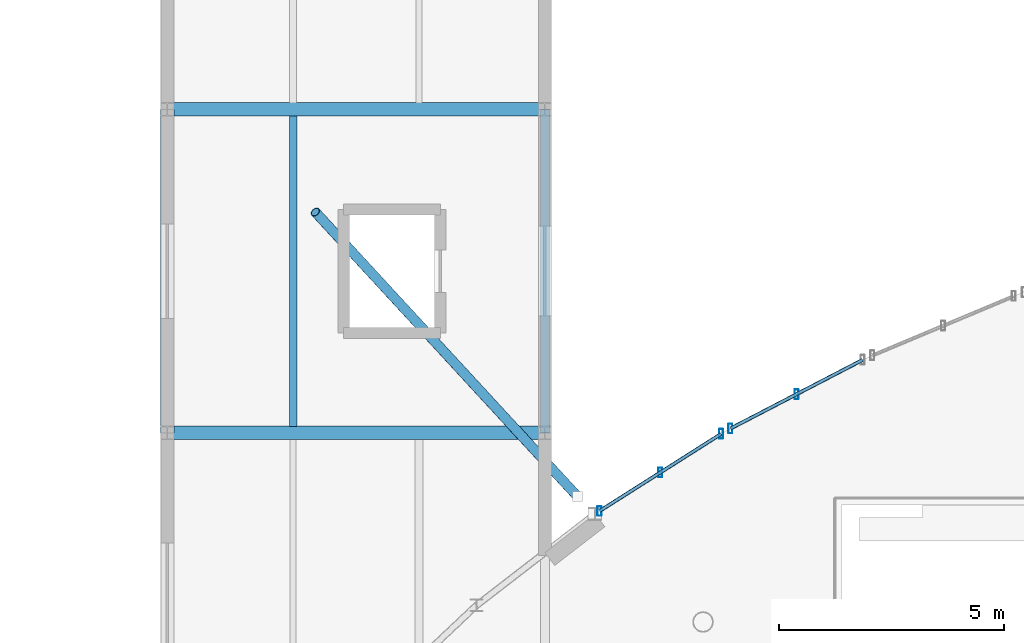
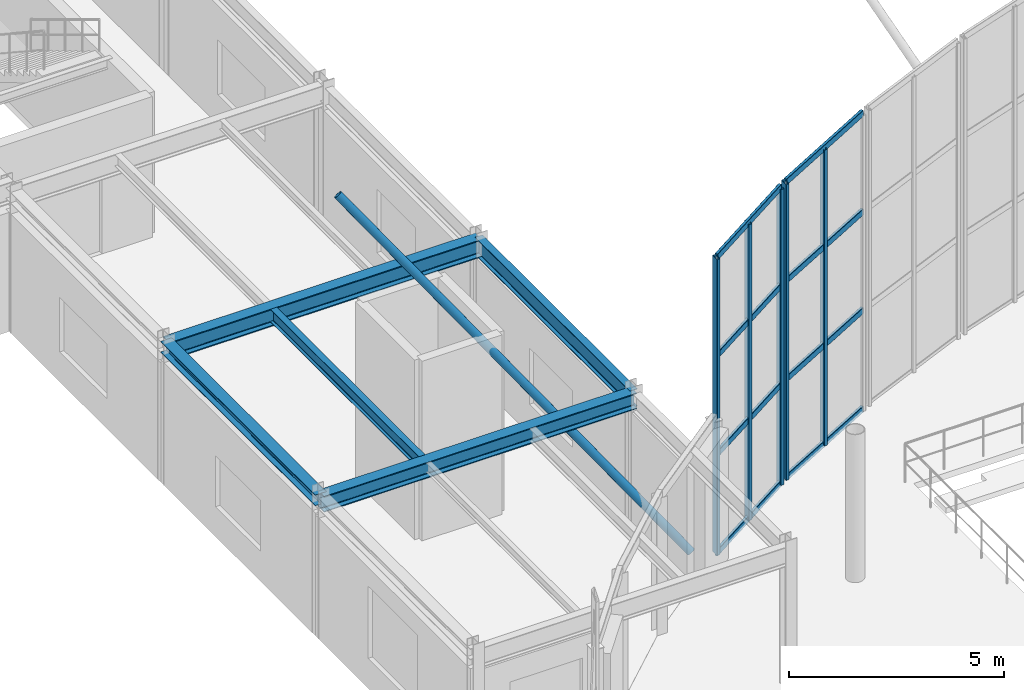
# One storey, part 34 of 109: 14 members, 5 beams, 2 elements without a shape of their own.
"""IFC4 building model written with IfcOpenShell, lengths in metres."""

from ifc_helpers import new_model, si_unit, derived_unit, direction, frame, origin, origin_2d, place, context, subcontext, project, spatial, hollow_rectangle, hollow_circle, i_section, extrude, material, material_profile, profile_set, type_object, element, aggregate, save


model = new_model("IFC4")

# Units and contexts
model_context = context("Model", 3, precision=1e-05, world=origin(), true_north=direction((0.0, 1.0)))
body_context = subcontext(model_context, "Body", "Model", "MODEL_VIEW")
ifc_project = project(units=[si_unit("LENGTHUNIT", "METRE"), si_unit("AREAUNIT", "SQUARE_METRE"), si_unit("VOLUMEUNIT", "CUBIC_METRE"), si_unit("PLANEANGLEUNIT", "RADIAN"), si_unit("MASSUNIT", "GRAM", prefix="KILO"), derived_unit("THERMALTRANSMITTANCEUNIT", [(si_unit("MASSUNIT", "GRAM", prefix="KILO"), 1), (si_unit("TIMEUNIT", "SECOND"), -3), (si_unit("THERMODYNAMICTEMPERATUREUNIT", "KELVIN"), -1)])], contexts=[model_context])

# Site, building, storey
site_placement = place(None, origin())
site = spatial("IfcSite", under=ifc_project, at=site_placement, CompositionType="ELEMENT")
building_placement = place(site_placement, origin())
building = spatial("IfcBuilding", under=site, at=building_placement, Name="Kharveza Railside Sports Centre", CompositionType="ELEMENT")
storey_placement = place(building_placement, frame((0.0, 0.0, 4.5)))
storey = spatial("IfcBuildingStorey", under=building, at=storey_placement, Name="L01", CompositionType="ELEMENT", Elevation=4.5)

# Beams
ifc_material_1 = material(Name="Steel S355J2", Category="steel")
ifc_material_profile_1 = material_profile(ifc_material_1, i_section(OverallWidth=0.199951171875, OverallDepth=0.5, WebThickness=0.01025390625, FlangeThickness=0.01611328125, FilletRadius=0.02099609375, at=origin_2d()), Name="IPE 500")
ifc_profile_set_1 = profile_set([ifc_material_profile_1], Name="Steel S355J2")
beam_type_1 = type_object("IfcBeamType", Name="BM-G03", PredefinedType="T_BEAM", material=ifc_profile_set_1)
beam_1_placement = place(storey_placement, frame((25.199951171875, 72.0, 3.75), z_axis=(0.0, 1.0, 0.0), x_axis=(-1.0, 0.0, 0.0)))
element("IfcBeam", 1, at=beam_1_placement, inside=storey, type_object=beam_type_1, Name="BM-NS-L01-B03-X252-Y720", PredefinedType="T_BEAM", context=body_context, shape_type="SweptSolid", body=[
    extrude(i_section(OverallWidth=0.199951171875, OverallDepth=0.5, WebThickness=0.01025390625, FlangeThickness=0.01611328125, FilletRadius=0.02099609375, at=origin_2d()), origin(), (0.0, 0.0, 1.0), 7.199951171875),
])
ifc_material_profile_2 = material_profile(ifc_material_1, i_section(OverallWidth=0.300048828125, OverallDepth=0.5, WebThickness=0.014404296875, FlangeThickness=0.028076171875, FilletRadius=0.027099609375, at=origin_2d()), Name="HEB 500")
ifc_profile_set_2 = profile_set([ifc_material_profile_2], Name="Steel S355J2")
beam_type_2 = type_object("IfcBeamType", Name="BM-G05", PredefinedType="T_BEAM", material=ifc_profile_set_2)
beam_2_placement = place(storey_placement, frame((16.800048828125, 79.199951171875, 3.75), z_axis=(1.0, 0.0, 0.0), x_axis=(0.0, 1.0, 0.0)))
element("IfcBeam", 2, at=beam_2_placement, inside=storey, type_object=beam_type_2, Name="BM-EW-L01-B05-X168-Y792", PredefinedType="T_BEAM", context=body_context, shape_type="SweptSolid", body=[
    extrude(i_section(OverallWidth=0.300048828125, OverallDepth=0.5, WebThickness=0.014404296875, FlangeThickness=0.028076171875, FilletRadius=0.027099609375, at=origin_2d()), origin(), (0.0, 0.0, 1.0), 8.39990234375),
])
ifc_material_profile_3 = material_profile(ifc_material_1, i_section(OverallWidth=0.300048828125, OverallDepth=0.449951171875, WebThickness=0.013916015625, FlangeThickness=0.02587890625, FilletRadius=0.027099609375, at=origin_2d()), Name="HEB 450")
ifc_profile_set_3 = profile_set([ifc_material_profile_3], Name="Steel S355J2")
beam_type_3 = type_object("IfcBeamType", Name="BM-G06", PredefinedType="T_BEAM", material=ifc_profile_set_3)
beam_3_placement = place(storey_placement, frame((16.800048828125, 72.0, 3.77490234375), z_axis=(1.0, 0.0, 0.0), x_axis=(0.0, 1.0, 0.0)))
element("IfcBeam", 3, at=beam_3_placement, inside=storey, type_object=beam_type_3, Name="BM-EW-L01-B06-X168-Y720", PredefinedType="T_BEAM", context=body_context, shape_type="SweptSolid", body=[
    extrude(i_section(OverallWidth=0.300048828125, OverallDepth=0.449951171875, WebThickness=0.013916015625, FlangeThickness=0.02587890625, FilletRadius=0.027099609375, at=origin_2d()), origin(), (0.0, 0.0, 1.0), 8.39990234375),
])
ifc_material_profile_4 = material_profile(ifc_material_1, i_section(OverallWidth=0.169921875, OverallDepth=0.360107421875, WebThickness=0.008056640625, FlangeThickness=0.0126953125, FilletRadius=0.01806640625, at=origin_2d()), Name="IPE 360")
ifc_profile_set_4 = profile_set([ifc_material_profile_4], Name="Steel S355J2")
beam_type_4 = type_object("IfcBeamType", Name="BM-S02", PredefinedType="BEAM", material=ifc_profile_set_4)
beam_4_placement = place(storey_placement, frame((19.60009765625, 72.14697265625, 3.820068359375), z_axis=(0.0, 1.0, 0.0), x_axis=(-1.0, 0.0, 0.0)))
element("IfcBeam", 4, at=beam_4_placement, inside=storey, type_object=beam_type_4, Name="BM-SEC-L01-B10-X196-Y720", PredefinedType="BEAM", context=body_context, shape_type="SweptSolid", body=[
    extrude(i_section(OverallWidth=0.169921875, OverallDepth=0.360107421875, WebThickness=0.008056640625, FlangeThickness=0.0126953125, FilletRadius=0.01806640625, at=origin_2d()), origin(), (0.0, 0.0, 1.0), 6.906005859375),
])
ifc_material_profile_5 = material_profile(ifc_material_1, i_section(OverallWidth=0.300048828125, OverallDepth=0.31005859375, WebThickness=0.009033203125, FlangeThickness=0.015380859375, FilletRadius=0.027099609375, at=origin_2d()), Name="HEA 320")
ifc_profile_set_5 = profile_set([ifc_material_profile_5], Name="Steel S355J2")
beam_type_5 = type_object("IfcBeamType", Name="BM-S06", PredefinedType="BEAM", material=ifc_profile_set_5)
beam_5_placement = place(storey_placement, frame((16.800048828125, 72.0, 3.844970703125), z_axis=(0.0, 1.0, 0.0), x_axis=(-1.0, 0.0, 0.0)))
element("IfcBeam", 5, at=beam_5_placement, inside=storey, type_object=beam_type_5, Name="BM-NS-L01-B14-X168-Y720", PredefinedType="BEAM", context=body_context, shape_type="SweptSolid", body=[
    extrude(i_section(OverallWidth=0.300048828125, OverallDepth=0.31005859375, WebThickness=0.009033203125, FlangeThickness=0.015380859375, FilletRadius=0.027099609375, at=origin_2d()), origin(), (0.0, 0.0, 1.0), 7.199951171875),
])

# Curtain wall, members
ifc_material_2 = material(Name="Low-E solar-control laminated glass", Category="glass")
curtain_wall_type = type_object("IfcCurtainWallType", Name="CW-DR01", PredefinedType="NOTDEFINED", material=ifc_material_2)
curtain_wall_1_placement = place(storey_placement, origin())
curtain_wall_1 = element("IfcCurtainWall", 6, at=curtain_wall_1_placement, inside=storey, type_object=curtain_wall_type, Name="CW-DRUM-23", PredefinedType="NOTDEFINED")
ifc_material_3 = material(Name="Anodised aluminium 6063-T6", Category="aluminium")
ifc_material_profile_6 = material_profile(ifc_material_3, hollow_rectangle(XDim=0.090087890625, YDim=0.219970703125, WallThickness=0.008056640625, InnerFilletRadius=0.008056640625, OuterFilletRadius=0.01611328125, at=origin_2d()), Name="RHS 90x220x8.0")
ifc_profile_set_6 = profile_set([ifc_material_profile_6], Name="Anodised aluminium 6063-T6")
member_type_1 = type_object("IfcMemberType", Name="CW-ML01", PredefinedType="MULLION", material=ifc_profile_set_6)
member_1_placement = place(storey_placement, frame((30.80078125, 72.86279296875, 0.0), z_axis=(0.0, 0.0, 1.0), x_axis=(1.0, 0.0, 0.0)))
member_1 = element("IfcMember", 7, at=member_1_placement, type_object=member_type_1, Name="CW-DRUM-23-ML2", PredefinedType="MULLION", context=body_context, shape_type="SweptSolid", body=[
    extrude(hollow_rectangle(XDim=0.090087890625, YDim=0.219970703125, WallThickness=0.008056640625, InnerFilletRadius=0.008056640625, OuterFilletRadius=0.01611328125, at=origin_2d()), origin(), (0.0, 0.0, 1.0), 8.39990234375),
])
member_2_placement = place(storey_placement, frame((29.330810546875, 72.099609375, 0.0), z_axis=(0.0, 0.0, 1.0), x_axis=(1.0, 0.0, 0.0)))
member_2 = element("IfcMember", 8, at=member_2_placement, type_object=member_type_1, Name="CW-DRUM-23-ML3", PredefinedType="MULLION", context=body_context, shape_type="SweptSolid", body=[
    extrude(hollow_rectangle(XDim=0.090087890625, YDim=0.219970703125, WallThickness=0.008056640625, InnerFilletRadius=0.008056640625, OuterFilletRadius=0.01611328125, at=origin_2d()), origin(), (0.0, 0.0, 1.0), 8.39990234375),
])

curtain_wall_2_placement = place(storey_placement, origin())
curtain_wall_2 = element("IfcCurtainWall", 9, at=curtain_wall_2_placement, inside=storey, type_object=curtain_wall_type, Name="CW-DRUM-24", PredefinedType="NOTDEFINED")
member_3_placement = place(storey_placement, frame((29.122802734375, 71.97998046875, 0.0), z_axis=(0.0, 0.0, 1.0), x_axis=(1.0, 0.0, 0.0)))
member_3 = element("IfcMember", 10, at=member_3_placement, type_object=member_type_1, Name="CW-DRUM-24-ML1", PredefinedType="MULLION", context=body_context, shape_type="SweptSolid", body=[
    extrude(hollow_rectangle(XDim=0.090087890625, YDim=0.219970703125, WallThickness=0.008056640625, InnerFilletRadius=0.008056640625, OuterFilletRadius=0.01611328125, at=origin_2d()), origin(), (0.0, 0.0, 1.0), 8.39990234375),
])
member_4_placement = place(storey_placement, frame((27.77001953125, 71.12158203125, 0.0), z_axis=(0.0, 0.0, 1.0), x_axis=(1.0, 0.0, 0.0)))
member_4 = element("IfcMember", 11, at=member_4_placement, type_object=member_type_1, Name="CW-DRUM-24-ML2", PredefinedType="MULLION", context=body_context, shape_type="SweptSolid", body=[
    extrude(hollow_rectangle(XDim=0.090087890625, YDim=0.219970703125, WallThickness=0.008056640625, InnerFilletRadius=0.008056640625, OuterFilletRadius=0.01611328125, at=origin_2d()), origin(), (0.0, 0.0, 1.0), 8.39990234375),
])
member_5_placement = place(storey_placement, frame((26.4169921875, 70.26318359375, 0.0), z_axis=(0.0, 0.0, 1.0), x_axis=(1.0, 0.0, 0.0)))
member_5 = element("IfcMember", 12, at=member_5_placement, type_object=member_type_1, Name="CW-DRUM-24-ML3", PredefinedType="MULLION", context=body_context, shape_type="SweptSolid", body=[
    extrude(hollow_rectangle(XDim=0.090087890625, YDim=0.219970703125, WallThickness=0.008056640625, InnerFilletRadius=0.008056640625, OuterFilletRadius=0.01611328125, at=origin_2d()), origin(), (0.0, 0.0, 1.0), 8.39990234375),
])

# Member
ifc_material_profile_7 = material_profile(ifc_material_3, hollow_rectangle(XDim=0.080078125, YDim=0.179931640625, WallThickness=0.00634765625, InnerFilletRadius=0.00634765625, OuterFilletRadius=0.0126953125, at=origin_2d()), Name="RHS 80x180x6.3")
ifc_profile_set_7 = profile_set([ifc_material_profile_7], Name="Anodised aluminium 6063-T6")
member_type_2 = type_object("IfcMemberType", Name="CW-TR01", PredefinedType="USERDEFINED", material=ifc_profile_set_7)
member_6_placement = place(storey_placement, frame((32.270751953125, 73.6259765625, 0.0), z_axis=(-0.887513465688, -0.460781779395, 0.0), x_axis=(0.460781779395, -0.887513465688, 0.0)))
member_6 = element("IfcMember", 13, at=member_6_placement, type_object=member_type_2, Name="CW-DRUM-23-TR1", ObjectType="TRANSOM", PredefinedType="USERDEFINED", context=body_context, shape_type="SweptSolid", body=[
    extrude(hollow_rectangle(XDim=0.080078125, YDim=0.179931640625, WallThickness=0.00634765625, InnerFilletRadius=0.00634765625, OuterFilletRadius=0.0126953125, at=origin_2d()), origin(), (0.0, 0.0, 1.0), 3.3125),
])

member_7_placement = place(storey_placement, frame((32.270751953125, 73.6259765625, 2.800048828125), z_axis=(-0.887513465688, -0.460781779395, 0.0), x_axis=(0.460781779395, -0.887513465688, 0.0)))
member_7 = element("IfcMember", 14, at=member_7_placement, type_object=member_type_2, Name="CW-DRUM-23-TR2", ObjectType="TRANSOM", PredefinedType="USERDEFINED", context=body_context, shape_type="SweptSolid", body=[
    extrude(hollow_rectangle(XDim=0.080078125, YDim=0.179931640625, WallThickness=0.00634765625, InnerFilletRadius=0.00634765625, OuterFilletRadius=0.0126953125, at=origin_2d()), origin(), (0.0, 0.0, 1.0), 3.3125),
])

member_8_placement = place(storey_placement, frame((32.270751953125, 73.6259765625, 5.60009765625), z_axis=(-0.887513465688, -0.460781779395, 0.0), x_axis=(0.460781779395, -0.887513465688, 0.0)))
member_8 = element("IfcMember", 15, at=member_8_placement, type_object=member_type_2, Name="CW-DRUM-23-TR3", ObjectType="TRANSOM", PredefinedType="USERDEFINED", context=body_context, shape_type="SweptSolid", body=[
    extrude(hollow_rectangle(XDim=0.080078125, YDim=0.179931640625, WallThickness=0.00634765625, InnerFilletRadius=0.00634765625, OuterFilletRadius=0.0126953125, at=origin_2d()), origin(), (0.0, 0.0, 1.0), 3.3125),
])

member_9_placement = place(storey_placement, frame((32.270751953125, 73.6259765625, 8.39990234375), z_axis=(-0.887513465688, -0.460781779395, 0.0), x_axis=(0.460781779395, -0.887513465688, 0.0)))
member_9 = element("IfcMember", 16, at=member_9_placement, type_object=member_type_2, Name="CW-DRUM-23-TR4", ObjectType="TRANSOM", PredefinedType="USERDEFINED", context=body_context, shape_type="SweptSolid", body=[
    extrude(hollow_rectangle(XDim=0.080078125, YDim=0.179931640625, WallThickness=0.00634765625, InnerFilletRadius=0.00634765625, OuterFilletRadius=0.0126953125, at=origin_2d()), origin(), (0.0, 0.0, 1.0), 3.3125),
])

aggregate(curtain_wall_1, [member_1, member_2, member_6, member_7, member_8, member_9])

member_10_placement = place(storey_placement, frame((29.122802734375, 71.97998046875, 0.0), z_axis=(-0.84437912984, -0.53574610133, 0.0), x_axis=(0.53574610133, -0.84437912984, 0.0)))
member_10 = element("IfcMember", 17, at=member_10_placement, type_object=member_type_2, Name="CW-DRUM-24-TR1", ObjectType="TRANSOM", PredefinedType="USERDEFINED", context=body_context, shape_type="SweptSolid", body=[
    extrude(hollow_rectangle(XDim=0.080078125, YDim=0.179931640625, WallThickness=0.00634765625, InnerFilletRadius=0.00634765625, OuterFilletRadius=0.0126953125, at=origin_2d()), origin(), (0.0, 0.0, 1.0), 3.20458984375),
])

member_11_placement = place(storey_placement, frame((29.122802734375, 71.97998046875, 2.800048828125), z_axis=(-0.84437912984, -0.53574610133, 0.0), x_axis=(0.53574610133, -0.84437912984, 0.0)))
member_11 = element("IfcMember", 18, at=member_11_placement, type_object=member_type_2, Name="CW-DRUM-24-TR2", ObjectType="TRANSOM", PredefinedType="USERDEFINED", context=body_context, shape_type="SweptSolid", body=[
    extrude(hollow_rectangle(XDim=0.080078125, YDim=0.179931640625, WallThickness=0.00634765625, InnerFilletRadius=0.00634765625, OuterFilletRadius=0.0126953125, at=origin_2d()), origin(), (0.0, 0.0, 1.0), 3.20458984375),
])

member_12_placement = place(storey_placement, frame((29.122802734375, 71.97998046875, 5.60009765625), z_axis=(-0.84437912984, -0.53574610133, 0.0), x_axis=(0.53574610133, -0.84437912984, 0.0)))
member_12 = element("IfcMember", 19, at=member_12_placement, type_object=member_type_2, Name="CW-DRUM-24-TR3", ObjectType="TRANSOM", PredefinedType="USERDEFINED", context=body_context, shape_type="SweptSolid", body=[
    extrude(hollow_rectangle(XDim=0.080078125, YDim=0.179931640625, WallThickness=0.00634765625, InnerFilletRadius=0.00634765625, OuterFilletRadius=0.0126953125, at=origin_2d()), origin(), (0.0, 0.0, 1.0), 3.20458984375),
])

member_13_placement = place(storey_placement, frame((29.122802734375, 71.97998046875, 8.39990234375), z_axis=(-0.84437912984, -0.53574610133, 0.0), x_axis=(0.53574610133, -0.84437912984, 0.0)))
member_13 = element("IfcMember", 20, at=member_13_placement, type_object=member_type_2, Name="CW-DRUM-24-TR4", ObjectType="TRANSOM", PredefinedType="USERDEFINED", context=body_context, shape_type="SweptSolid", body=[
    extrude(hollow_rectangle(XDim=0.080078125, YDim=0.179931640625, WallThickness=0.00634765625, InnerFilletRadius=0.00634765625, OuterFilletRadius=0.0126953125, at=origin_2d()), origin(), (0.0, 0.0, 1.0), 3.20458984375),
])

aggregate(curtain_wall_2, [member_3, member_4, member_5, member_10, member_11, member_12, member_13])

ifc_material_profile_8 = material_profile(ifc_material_1, hollow_circle(Radius=0.109619140625, WallThickness=0.012451171875, at=origin_2d()), Name="CHS 219.1x12.5")
ifc_profile_set_8 = profile_set([ifc_material_profile_8], Name="Steel S355J2")
member_type_3 = type_object("IfcMemberType", Name="MB-ST01", PredefinedType="STRUT", material=ifc_profile_set_8)
member_14_placement = place(storey_placement, frame((25.9267578125, 70.587890625, 0.0), z_axis=(-0.486453896254, 0.527741604532, 0.696312721172), x_axis=(-0.735283928712, -0.67775920811, 0.0)))
element("IfcMember", 21, at=member_14_placement, inside=storey, type_object=member_type_3, Name="MB-RAKER-LID-07", PredefinedType="STRUT", context=body_context, shape_type="SweptSolid", body=[
    extrude(hollow_circle(Radius=0.109619140625, WallThickness=0.012451171875, at=origin_2d()), origin(), (0.0, 0.0, 1.0), 11.991943359375),
])

save(model, "model.ifc")
